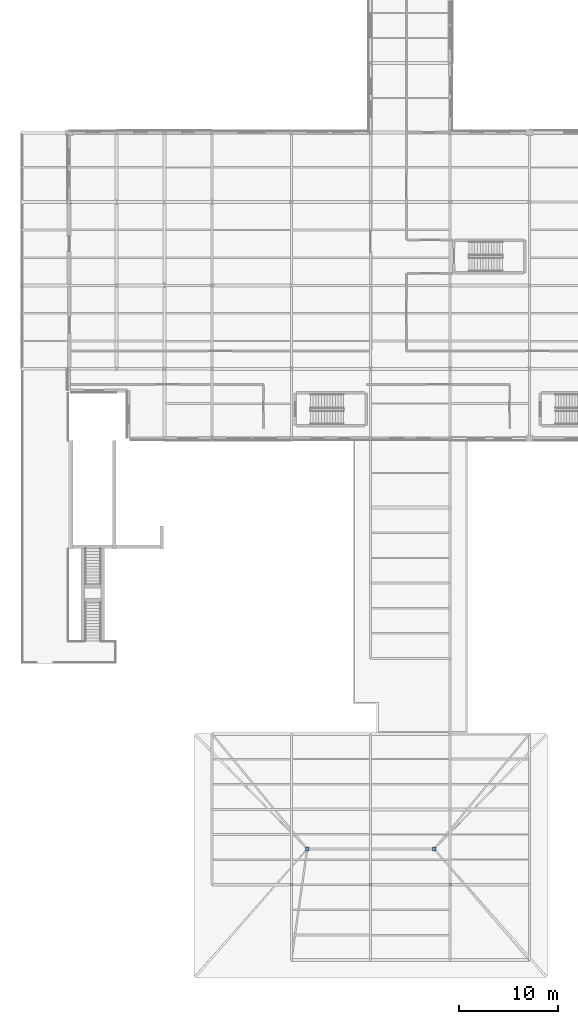
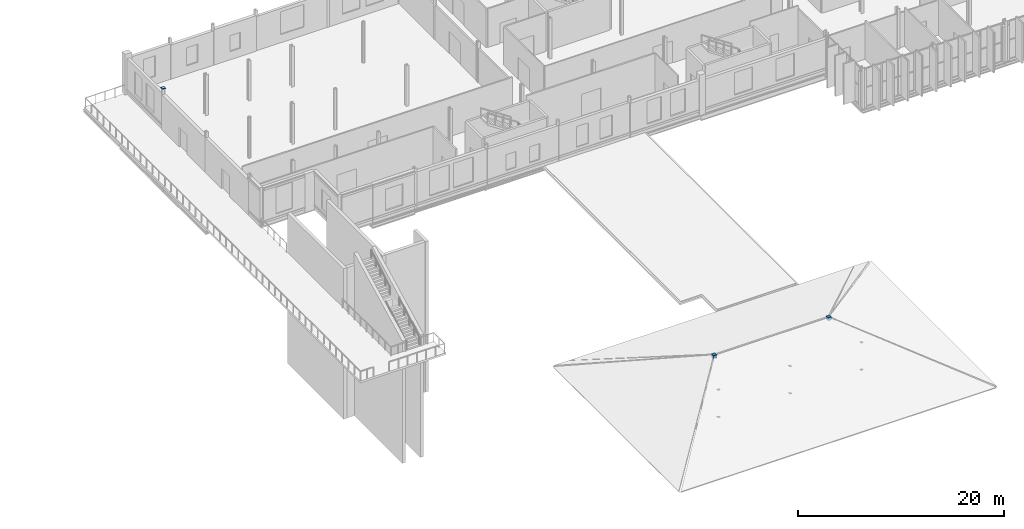
# One storey, part 88 of 120: 9 plates.
"""IFC4 building model written with IfcOpenShell, lengths in metres."""

import ifcopenshell
import ifcopenshell.guid

model = None  # the IFC model being written
_history = None  # IfcOwnerHistory: only IFC2X3 demands one
_inside = {}  # id of a spatial element -> (the spatial element, [elements in it])
_under = {}  # id of a project, library or spatial element -> (it, [spatial elements below it])
_declared = {}  # id of a project -> (the project, [libraries it declares])
_typed = {}  # id of a type object -> (the type object, [elements of that type])
_made_of = {}  # id of a material, layer set ... -> (it, [elements and type objects made of it])


def new_model(schema):
    """Start an empty IFC model of exactly this schema.

    Asked for "IFC4X3", IfcOpenShell would pick the latest addendum, in which some entities
    have other attributes; the version numbers below select the first issue.
    IFC2X3 requires an IfcOwnerHistory on every rooted entity: one is made here for all.
    """
    global model, _history
    if schema == "IFC4X3":
        model = ifcopenshell.file(schema_version=(4, 3, 0, 0))
    else:
        model = ifcopenshell.file(schema=schema)
    _inside.clear()
    _under.clear()
    _declared.clear()
    _typed.clear()
    _made_of.clear()
    _history = None
    if model.schema == "IFC2X3":
        org = make("IfcOrganization", Name="unknown")
        user = make(
            "IfcPersonAndOrganization",
            ThePerson=make("IfcPerson", FamilyName="unknown"),
            TheOrganization=org,
        )
        app = make(
            "IfcApplication",
            ApplicationDeveloper=org,
            Version="unknown",
            ApplicationFullName="unknown",
            ApplicationIdentifier="unknown",
        )
        _history = make(
            "IfcOwnerHistory",
            OwningUser=user,
            OwningApplication=app,
            ChangeAction="ADDED",
            CreationDate=0,
        )
    return model


def make(cls, **values):
    """One entity of the class cls with the attributes given. An attribute that is None is left unset."""
    return model.create_entity(
        cls, **{name: value for name, value in values.items() if value is not None}
    )


def rooted(cls, **values):
    """An entity with a GlobalId (a new one), such as an element, a storey or a relation."""
    return make(cls, GlobalId=ifcopenshell.guid.new(), OwnerHistory=_history, **values)


def si_unit(unit_type, name, prefix=None):
    """IfcSIUnit, for example si_unit("LENGTHUNIT", "METRE", prefix="MILLI")."""
    return make("IfcSIUnit", UnitType=unit_type, Prefix=prefix, Name=name)


def assignment(units):
    """IfcUnitAssignment: the units of a project."""
    return None if units is None else make("IfcUnitAssignment", Units=units)


def point(xyz):
    """IfcCartesianPoint."""
    return None if xyz is None else make("IfcCartesianPoint", Coordinates=xyz)


def direction(xyz):
    """IfcDirection."""
    return None if xyz is None else make("IfcDirection", DirectionRatios=xyz)


def frame(location, z_axis=None, x_axis=None):
    """IfcAxis2Placement3D, a coordinate frame: its origin and axes. An axis left out is left unset."""
    return make(
        "IfcAxis2Placement3D",
        Location=point(location),
        Axis=direction(z_axis),
        RefDirection=direction(x_axis),
    )


def frame_2d(location, x_axis=None):
    """IfcAxis2Placement2D, a coordinate frame in the plane: its origin and x axis."""
    return make(
        "IfcAxis2Placement2D", Location=point(location), RefDirection=direction(x_axis)
    )


def origin():
    """The frame at (0, 0, 0) with its axes left unset."""
    return frame((0.0, 0.0, 0.0))


def origin_2d():
    """The frame at (0, 0) in the plane with its x axis left unset."""
    return frame_2d((0.0, 0.0))


def place(relative_to, where):
    """IfcLocalPlacement: puts the frame where relative to a parent placement (None: the world)."""
    return make(
        "IfcLocalPlacement", PlacementRelTo=relative_to, RelativePlacement=where
    )


def context(
    kind, dimensions, precision=None, world=None, true_north=None, identifier=None
):
    """IfcGeometricRepresentationContext, for example the 3D "Model" context."""
    return make(
        "IfcGeometricRepresentationContext",
        ContextIdentifier=identifier,
        ContextType=kind,
        CoordinateSpaceDimension=dimensions,
        Precision=precision,
        WorldCoordinateSystem=world,
        TrueNorth=true_north,
    )


def subcontext(parent, identifier, kind, view, scale=None):
    """IfcGeometricRepresentationSubContext, for example "Body" below "Model"."""
    return make(
        "IfcGeometricRepresentationSubContext",
        ContextIdentifier=identifier,
        ContextType=kind,
        ParentContext=parent,
        TargetScale=scale,
        TargetView=view,
    )


def project(units=None, contexts=None):
    """IfcProject with its units and contexts."""
    return rooted(
        "IfcProject",
        Name="project",
        RepresentationContexts=contexts,
        UnitsInContext=assignment(units),
    )


def spatial(cls, under=None, at=None, **own):
    """A site, building, storey or space (cls), placed at a placement, below another one or the project."""
    s = rooted(cls, ObjectPlacement=at, **own)
    if under is not None:
        _under.setdefault(under.id(), (under, []))[1].append(s)
    return s


def profile(cls, at=None, kind="AREA", **sizes):
    """A parametric profile (cls). Its sizes go by their IFC names, for example OverallWidth=200.0."""
    return make(cls, ProfileType=kind, Position=at, **sizes)


def rectangle(**sizes):
    """IfcRectangleProfileDef."""
    return profile("IfcRectangleProfileDef", **sizes)


def extrude(swept, where, along, depth):
    """IfcExtrudedAreaSolid: the profile swept, set in the frame where, extruded along a direction by depth."""
    return make(
        "IfcExtrudedAreaSolid",
        SweptArea=swept,
        Position=where,
        ExtrudedDirection=direction(along),
        Depth=depth,
    )


def shape(context_of_items, identifier, shape_type, items):
    """IfcShapeRepresentation: the items that make up one representation, for example the "Body"."""
    return make(
        "IfcShapeRepresentation",
        ContextOfItems=context_of_items,
        RepresentationIdentifier=identifier,
        RepresentationType=shape_type,
        Items=items,
    )


def material(Name=None, Category=None):
    """IfcMaterial."""
    return make("IfcMaterial", Name=Name, Category=Category)


def layer(
    of_material, thickness, ventilated=None, Name=None, Category=None, Priority=None
):
    """IfcMaterialLayer: one layer of a wall or slab, of a material (None: an air gap)."""
    return make(
        "IfcMaterialLayer",
        Material=of_material,
        LayerThickness=thickness,
        IsVentilated=ventilated,
        Name=Name,
        Category=Category,
        Priority=Priority,
    )


def layer_set(layers, Name=None):
    """IfcMaterialLayerSet."""
    return make("IfcMaterialLayerSet", MaterialLayers=layers, LayerSetName=Name)


def made_of(thing, what):
    """Note that an element or type object is made of a material, layer set ...; save() writes the relation."""
    if what is not None:
        _made_of.setdefault(what.id(), (what, []))[1].append(thing)
    return thing


def type_object(cls, material=None, **own):
    """A type object (cls), such as IfcWallType, which elements share."""
    return made_of(rooted(cls, **own), material)


def element(
    cls,
    number,
    at=None,
    inside=None,
    cuts=None,
    type_object=None,
    material=None,
    context=None,
    identifier="Body",
    shape_type=None,
    held_by="IfcProductDefinitionShape",
    body=None,
    shapes=None,
    **own,
):
    """One element of the class cls, such as IfcWall. Its Tag is "e" and its number.

    at: its placement. inside: the storey or other place that contains it. cuts: it is an
    opening in that element (IfcRelVoidsElement). A single representation is given by context,
    identifier, shape_type and body (its items); several are given by shapes. held_by: the class
    of the entity that holds the representations. save() writes the other relations.
    """
    e = rooted(cls, Tag="e%d" % number, ObjectPlacement=at, **own)
    if body is not None:
        shapes = [shape(context, identifier, shape_type, body)]
    if shapes is not None:
        e.Representation = make(held_by, Representations=shapes)
    if inside is not None:
        _inside.setdefault(inside.id(), (inside, []))[1].append(e)
    if cuts is not None:
        rooted(
            "IfcRelVoidsElement", RelatingBuildingElement=cuts, RelatedOpeningElement=e
        )
    if type_object is not None:
        _typed.setdefault(type_object.id(), (type_object, []))[1].append(e)
    return made_of(e, material)


def aggregate(whole, parts):
    """IfcRelAggregates: a whole, such as a stair, and the parts it consists of."""
    return rooted("IfcRelAggregates", RelatingObject=whole, RelatedObjects=parts)


def save(model, path):
    """Write the relations noted so far, then the file.

    IfcRelAggregates (storeys below a building ...), IfcRelContainedInSpatialStructure (elements
    in a storey), IfcRelDefinesByType, IfcRelAssociatesMaterial and IfcRelDeclares: one each for
    every whole, place, type object, material and project.
    """
    for whole, parts in _under.values():
        aggregate(whole, parts)
    for where, things in _inside.values():
        rooted(
            "IfcRelContainedInSpatialStructure",
            RelatedElements=things,
            RelatingStructure=where,
        )
    for kind, things in _typed.values():
        rooted("IfcRelDefinesByType", RelatedObjects=things, RelatingType=kind)
    for what, things in _made_of.values():
        rooted("IfcRelAssociatesMaterial", RelatedObjects=things, RelatingMaterial=what)
    for by, libraries in _declared.values():
        rooted("IfcRelDeclares", RelatingContext=by, RelatedDefinitions=libraries)
    model.write(path)


model = new_model("IFC4")

# Units and contexts
model_context = context("Model", 3, precision=1e-05, world=origin(), true_north=direction((0.0, 1.0)))
body_context = subcontext(model_context, "Body", "Model", "MODEL_VIEW")
ifc_project = project(units=[si_unit("LENGTHUNIT", "METRE"), si_unit("AREAUNIT", "SQUARE_METRE"), si_unit("VOLUMEUNIT", "CUBIC_METRE"), si_unit("PLANEANGLEUNIT", "RADIAN"), si_unit("MASSUNIT", "GRAM", prefix="KILO")], contexts=[model_context])

# Site, building, storey
site_placement = place(None, origin())
site = spatial("IfcSite", under=ifc_project, at=site_placement, CompositionType="ELEMENT")
building_placement = place(site_placement, origin())
building = spatial("IfcBuilding", under=site, at=building_placement, Name="Vekula Escarpment Museum", CompositionType="ELEMENT")
storey_placement = place(building_placement, frame((0.0, 0.0, 13.199951171875)))
storey = spatial("IfcBuildingStorey", under=building, at=storey_placement, Name="L03", CompositionType="ELEMENT", Elevation=13.199951171875)

# Plates
ifc_material_1 = material(Name="Steel S355", Category="steel")
ifc_layer_1 = layer(ifc_material_1, 0.01611328125)
ifc_layer_set_1 = layer_set([ifc_layer_1], Name="Steel S355")
plate_type_1 = type_object("IfcPlateType", Name="PL-CAP-16", PredefinedType="SHEET", material=ifc_layer_set_1)
for number, where, z_axis, x_axis, name in (
    (1, (32.0, 7.60009765625, -0.215087890625), (0.0, 0.0, 1.0), (1.0, 0.0, 0.0), "Hollow section end cap CP-16"),
    (2, (32.0, 7.60009765625, 3.019287109375), (0.0, 0.0, 1.0), (1.0, 0.0, 0.0), "Hollow section end cap CP-16"),
    (3, (40.0, 7.60009765625, -0.215087890625), (0.0, 0.0, 1.0), (1.0, 0.0, 0.0), "Hollow section end cap CP-16"),
    (4, (40.0, 7.60009765625, 3.019287109375), (0.0, 0.0, 1.0), (1.0, 0.0, 0.0), "Hollow section end cap CP-16"),
    (5, (48.0, 7.60009765625, -0.215087890625), (0.0, 0.0, 1.0), (1.0, 0.0, 0.0), "Hollow section end cap CP-16"),
    (6, (48.0, 7.60009765625, 3.019287109375), (0.0, 0.0, 1.0), (1.0, 0.0, 0.0), "Hollow section end cap CP-16"),
):
    element("IfcPlate", number, at=place(storey_placement, frame(where, z_axis=z_axis, x_axis=x_axis)), inside=storey, type_object=plate_type_1, Name=name, PredefinedType="SHEET", context=body_context, shape_type="SweptSolid", body=[
        extrude(rectangle(XDim=0.260009765625, YDim=0.260009765625, at=origin_2d()), origin(), (0.0, 0.0, 1.0), 0.01611328125),
    ])
ifc_material_2 = material(Name="Steel S355", Category="steel")
ifc_layer_2 = layer(ifc_material_2, 0.02001953125)
ifc_layer_set_2 = layer_set([ifc_layer_2], Name="Steel S355")
plate_type_2 = type_object("IfcPlateType", Name="PL-CAP-20", PredefinedType="SHEET", material=ifc_layer_set_2)
plate_placement = place(storey_placement, frame((9.60009765625, 76.39990234375, 4.798095703125), z_axis=(0.0, 0.0, 1.0), x_axis=(1.0, 0.0, 0.0)))
element("IfcPlate", 7, at=plate_placement, inside=storey, type_object=plate_type_2, Name="Hollow section end cap CP-20", PredefinedType="SHEET", context=body_context, shape_type="SweptSolid", body=[
    extrude(rectangle(XDim=0.364013671875, YDim=0.364013671875, at=origin_2d()), origin(), (0.0, 0.0, 1.0), 0.02001953125),
])
for number, where, z_axis, x_axis, name in (
    (8, (33.591064453125, 11.199951171875, 4.070068359375), (0.0, 0.0, 1.0), (1.0, 0.0, 0.0), "Hollow section end cap CP-20"),
    (9, (46.408935546875, 11.199951171875, 4.070068359375), (0.0, 0.0, 1.0), (1.0, 0.0, 0.0), "Hollow section end cap CP-20"),
):
    element("IfcPlate", number, at=place(storey_placement, frame(where, z_axis=z_axis, x_axis=x_axis)), inside=storey, type_object=plate_type_2, Name=name, PredefinedType="SHEET", context=body_context, shape_type="SweptSolid", body=[
        extrude(rectangle(XDim=0.3798828125, YDim=0.3798828125, at=origin_2d()), origin(), (0.0, 0.0, 1.0), 0.3798828125),
    ])

save(model, "model.ifc")
